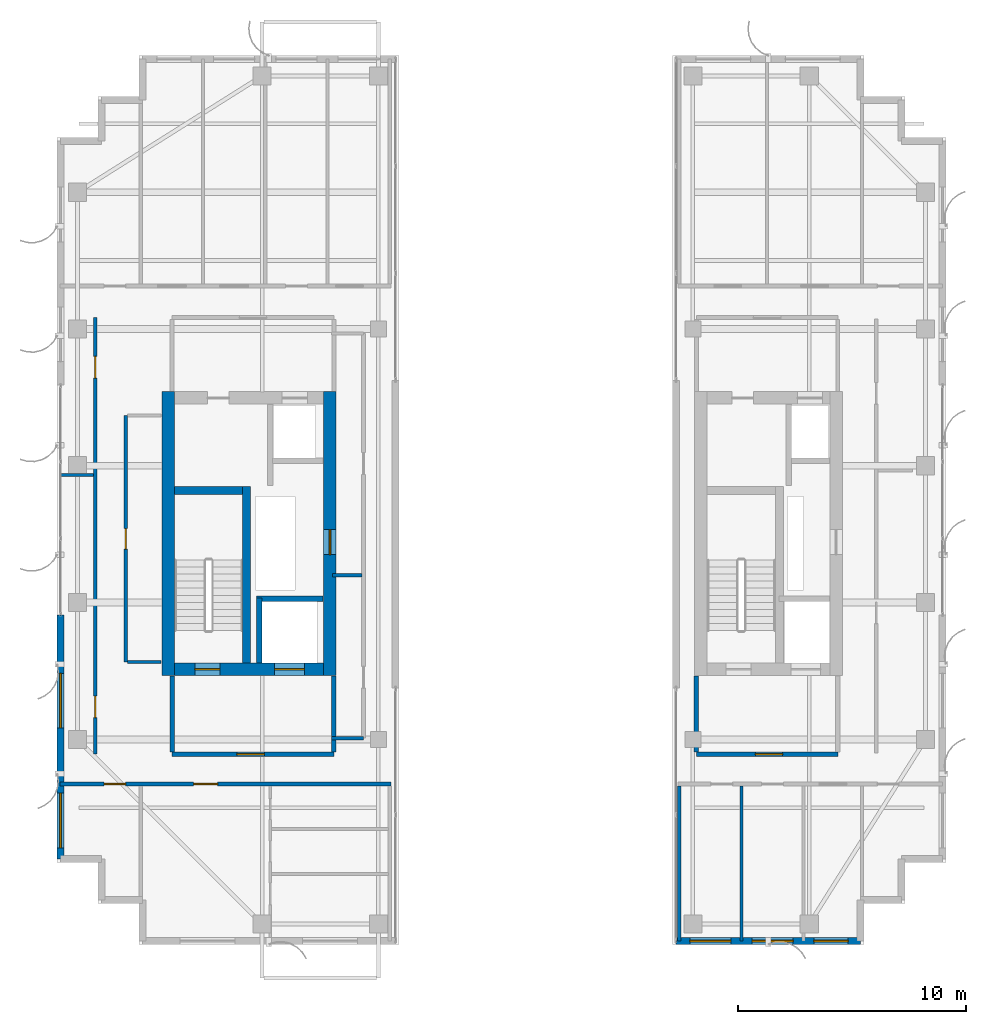
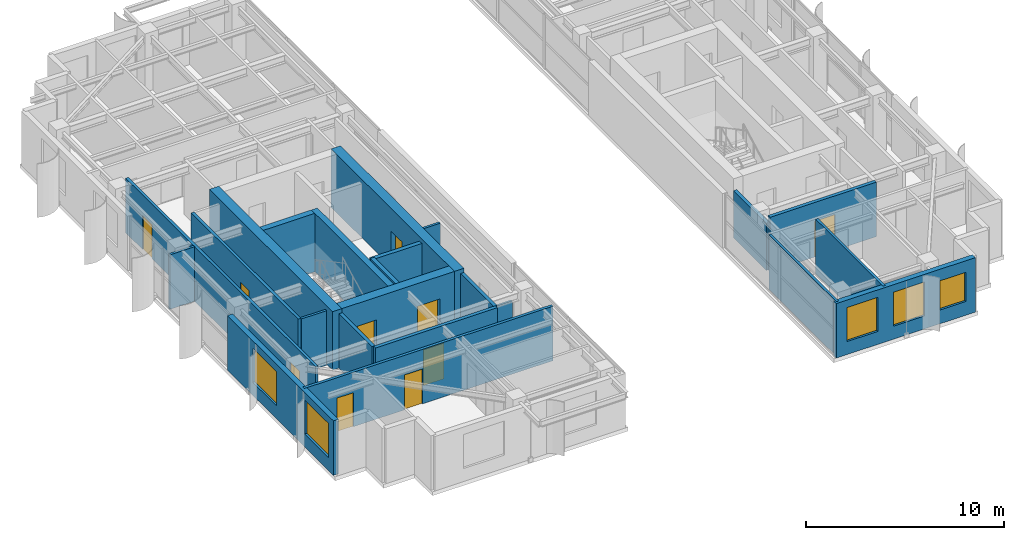
# One storey, part 17 of 22: 23 walls, 10 doors, 5 windows, 15 openings.
"""IFC4 building model written with IfcOpenShell, lengths in metres."""

from ifc_helpers import new_model, si_unit, direction, frame, frame_2d, origin, place, context, subcontext, project, spatial, rectangle, extrude, source, transform, mapped, material, layer, layer_set, type_object, element, fill, save


model = new_model("IFC4")

# Units and contexts
model_context = context("Model", 3, precision=1e-05, world=origin(), true_north=direction((0.0, 1.0)))
body_context = subcontext(model_context, "Body", "Model", "MODEL_VIEW")
ifc_project = project(units=[si_unit("LENGTHUNIT", "METRE"), si_unit("AREAUNIT", "SQUARE_METRE"), si_unit("VOLUMEUNIT", "CUBIC_METRE"), si_unit("PLANEANGLEUNIT", "RADIAN"), si_unit("MASSUNIT", "GRAM", prefix="KILO")], contexts=[model_context])

# Site, building, storey
site_placement = place(None, origin())
site = spatial("IfcSite", under=ifc_project, at=site_placement, CompositionType="ELEMENT")
building_placement = place(site_placement, origin())
building = spatial("IfcBuilding", under=site, at=building_placement, Name="Khoralis Quay Care Tower", CompositionType="ELEMENT")
storey_placement = place(building_placement, frame((0.0, 0.0, 242.10009765625)))
storey = spatial("IfcBuildingStorey", under=building, at=storey_placement, Name="L63", CompositionType="ELEMENT", Elevation=242.10009765625)

# Wall, opening, door
ifc_material_1 = material(Name="Gypsum plasterboard on acoustic metal stud")
ifc_layer_1 = layer(ifc_material_1, 0.199951171875)
ifc_layer_set_1 = layer_set([ifc_layer_1], Name="Gypsum plasterboard on acoustic metal stud")
wall_type_1 = type_object("IfcWallType", Name="WL-COMP-200", PredefinedType="PARTITIONING", material=ifc_layer_set_1)
wall_1_placement = place(storey_placement, frame((8.050048828125, 11.35009765625, 0.0), z_axis=(0.0, 0.0, 1.0), x_axis=(1.0, 0.0, 0.0)))
wall_1 = element("IfcWall", 1, at=wall_1_placement, inside=storey, type_object=wall_type_1, Name="L63 West Firefighting Lobby South Wall", PredefinedType="PARTITIONING", context=body_context, shape_type="SweptSolid", body=[
    extrude(rectangle(XDim=7.099853515625, YDim=0.199951171875, at=frame_2d((3.5498046875, 0.0))), origin(), (0.0, 0.0, 1.0), 3.35986328125),
])
opening_1_placement = place(wall_1_placement, frame((2.846435546875, 0.0, 0.0)))
opening_1 = element("IfcOpeningElement", 2, at=opening_1_placement, cuts=wall_1, Name="Opening FD1", PredefinedType="OPENING", context=body_context, shape_type="SweptSolid", body=[
    extrude(rectangle(XDim=1.199951171875, YDim=2.199951171875, at=frame_2d((0.60009765625, 1.10009765625))), frame((0.0, 0.10986328125, 0.0), z_axis=(0.0, -1.0, 0.0), x_axis=(1.0, 0.0, 0.0)), (0.0, 0.0, 1.0), 0.219970703125),
])
ifc_material_2 = material(Name="Fire-rated painted steel", Category="steel")
door_type_1 = type_object("IfcDoorType", Name="DR-FFL-1200X2200", OperationType="NOTDEFINED", PredefinedType="DOOR", material=ifc_material_2)
shared_shape_1 = source(origin(), body_context, "Body", "SweptSolid", [
    extrude(rectangle(XDim=1.199951171875, YDim=2.199951171875, at=frame_2d((0.60009765625, 1.10009765625))), frame((0.0, 0.02490234375, 0.0), z_axis=(0.0, -1.0, 0.0), x_axis=(1.0, 0.0, 0.0)), (0.0, 0.0, 1.0), 0.050048828125),
])
door_1_placement = place(opening_1_placement, origin())
door_1 = element("IfcDoor", 3, at=door_1_placement, inside=storey, type_object=door_type_1, Name="L63 West Firefighting Lobby Fire Door", OperationType="SINGLE_SWING_LEFT", OverallHeight=2.199951171875, OverallWidth=1.199951171875, PredefinedType="DOOR", context=body_context, shape_type="MappedRepresentation", body=[
    mapped(shared_shape_1, transform((0.0, 0.0, 0.0), scale=1.0)),
])
fill(opening_1, door_1)

# Walls
for number, where, z_axis, x_axis, name in (
    (4, (8.050048828125, 11.445068359375, 0.0), (0.0, 0.0, 1.0), (0.0, 1.0, 0.0), "L63 West Firefighting Lobby West Wall"),
    (5, (15.14990234375, 11.445068359375, 0.0), (0.0, 0.0, 1.0), (0.0, 1.0, 0.0), "L63 West Firefighting Lobby East Wall"),
):
    element("IfcWall", number, at=place(storey_placement, frame(where, z_axis=z_axis, x_axis=x_axis)), inside=storey, type_object=wall_type_1, Name=name, PredefinedType="PARTITIONING", context=body_context, shape_type="SweptSolid", body=[
        extrude(rectangle(XDim=3.3349609375, YDim=0.199951171875, at=frame_2d((1.66748046875, 0.0))), origin(), (0.0, 0.0, 1.0), 3.35986328125),
    ])

# Wall, opening, door
wall_2_placement = place(storey_placement, frame((31.050048828125, 11.35009765625, 0.0), z_axis=(0.0, 0.0, 1.0), x_axis=(1.0, 0.0, 0.0)))
wall_2 = element("IfcWall", 6, at=wall_2_placement, inside=storey, type_object=wall_type_1, Name="L63 East Firefighting Lobby South Wall", PredefinedType="PARTITIONING", context=body_context, shape_type="SweptSolid", body=[
    extrude(rectangle(XDim=6.199951171875, YDim=0.199951171875, at=frame_2d((3.10009765625, 0.0))), origin(), (0.0, 0.0, 1.0), 3.35986328125),
])
opening_2_placement = place(wall_2_placement, frame((2.585693359375, 0.0, 0.0)))
opening_2 = element("IfcOpeningElement", 7, at=opening_2_placement, cuts=wall_2, Name="Opening FD1", PredefinedType="OPENING", context=body_context, shape_type="SweptSolid", body=[
    extrude(rectangle(XDim=1.199951171875, YDim=2.199951171875, at=frame_2d((0.60009765625, 1.10009765625))), frame((0.0, 0.10986328125, 0.0), z_axis=(0.0, -1.0, 0.0), x_axis=(1.0, 0.0, 0.0)), (0.0, 0.0, 1.0), 0.219970703125),
])
door_2_placement = place(opening_2_placement, origin())
door_2 = element("IfcDoor", 8, at=door_2_placement, inside=storey, type_object=door_type_1, Name="L63 East Firefighting Lobby Fire Door", OperationType="SINGLE_SWING_RIGHT", OverallHeight=2.199951171875, OverallWidth=1.199951171875, PredefinedType="DOOR", context=body_context, shape_type="MappedRepresentation", body=[
    mapped(shared_shape_1, transform((0.0, 0.0, 0.0), scale=1.0)),
])
fill(opening_2, door_2)

# Walls
wall_3_placement = place(storey_placement, frame((31.050048828125, 11.445068359375, 0.0), z_axis=(0.0, 0.0, 1.0), x_axis=(0.0, 1.0, 0.0)))
element("IfcWall", 9, at=wall_3_placement, inside=storey, type_object=wall_type_1, Name="L63 East Firefighting Lobby West Wall", PredefinedType="PARTITIONING", context=body_context, shape_type="SweptSolid", body=[
    extrude(rectangle(XDim=3.3349609375, YDim=0.199951171875, at=frame_2d((1.66748046875, 0.0))), origin(), (0.0, 0.0, 1.0), 2.90087890625),
])
ifc_material_3 = material(Name="Concrete C65/80", Category="concrete")
ifc_layer_2 = layer(ifc_material_3, 0.550048828125)
ifc_layer_set_2 = layer_set([ifc_layer_2], Name="Concrete C65/80")
wall_type_2 = type_object("IfcWallType", Name="WL-CORE-550", PredefinedType="SHEAR", material=ifc_layer_set_2)
wall_4_placement = place(storey_placement, frame((7.875, 14.800048828125, 0.0), z_axis=(0.0, 0.0, 1.0), x_axis=(0.0, 1.0, 0.0)))
element("IfcWall", 10, at=wall_4_placement, inside=storey, type_object=wall_type_2, Name="L63 WCORE West Shear Wall", PredefinedType="SHEAR", context=body_context, shape_type="SweptSolid", body=[
    extrude(rectangle(XDim=12.449951171875, YDim=0.550048828125, at=frame_2d((6.22509765625, 0.0))), origin(), (0.0, 0.0, 1.0), 3.599853515625),
])

# Wall, opening, door
wall_5_placement = place(storey_placement, frame((14.97509765625, 14.800048828125, 0.0), z_axis=(0.0, 0.0, 1.0), x_axis=(0.0, 1.0, 0.0)))
wall_5 = element("IfcWall", 11, at=wall_5_placement, inside=storey, type_object=wall_type_2, Name="L63 WCORE East Shear Wall", PredefinedType="SHEAR", context=body_context, shape_type="SweptSolid", body=[
    extrude(rectangle(XDim=12.449951171875, YDim=0.550048828125, at=frame_2d((6.22509765625, 0.0))), origin(), (0.0, 0.0, 1.0), 3.599853515625),
])
opening_3_placement = place(wall_5_placement, frame((5.300048828125, 0.0, 0.0)))
opening_3 = element("IfcOpeningElement", 12, at=opening_3_placement, cuts=wall_5, Name="Opening SD1", PredefinedType="OPENING", context=body_context, shape_type="SweptSolid", body=[
    extrude(rectangle(XDim=1.10009765625, YDim=2.199951171875, at=frame_2d((0.550048828125, 1.10009765625))), frame((0.0, 0.28515625, 0.0), z_axis=(0.0, -1.0, 0.0), x_axis=(1.0, 0.0, 0.0)), (0.0, 0.0, 1.0), 0.570068359375),
])
door_type_2 = type_object("IfcDoorType", Name="DR-STAIR-1100X2200", OperationType="NOTDEFINED", PredefinedType="DOOR", material=ifc_material_2)
shared_shape_2 = source(origin(), body_context, "Body", "SweptSolid", [
    extrude(rectangle(XDim=1.10009765625, YDim=2.199951171875, at=frame_2d((0.550048828125, 1.10009765625))), frame((0.0, 0.02490234375, 0.0), z_axis=(0.0, -1.0, 0.0), x_axis=(1.0, 0.0, 0.0)), (0.0, 0.0, 1.0), 0.050048828125),
])
door_3_placement = place(opening_3_placement, origin())
door_3 = element("IfcDoor", 13, at=door_3_placement, inside=storey, type_object=door_type_2, Name="L63 West MEP Riser Door", OperationType="SINGLE_SWING_LEFT", OverallHeight=2.199951171875, OverallWidth=1.10009765625, PredefinedType="DOOR", context=body_context, shape_type="MappedRepresentation", body=[
    mapped(shared_shape_2, transform((0.0, 0.0, 0.0), scale=1.0)),
])
fill(opening_3, door_3)

# Wall, openings, doors
wall_6_placement = place(storey_placement, frame((8.14990234375, 15.074951171875, 0.0), z_axis=(0.0, 0.0, 1.0), x_axis=(1.0, 0.0, 0.0)))
wall_6 = element("IfcWall", 14, at=wall_6_placement, inside=storey, type_object=wall_type_2, Name="L63 WCORE South Shear Wall", PredefinedType="SHEAR", context=body_context, shape_type="SweptSolid", body=[
    extrude(rectangle(XDim=6.550048828125, YDim=0.550048828125, at=frame_2d((3.27490234375, 0.0))), origin(), (0.0, 0.0, 1.0), 3.599853515625),
])
opening_4_placement = place(wall_6_placement, frame((0.89990234375, 0.0, 0.0)))
opening_4 = element("IfcOpeningElement", 15, at=opening_4_placement, cuts=wall_6, Name="Opening SD1", PredefinedType="OPENING", context=body_context, shape_type="SweptSolid", body=[
    extrude(rectangle(XDim=1.10009765625, YDim=2.199951171875, at=frame_2d((0.550048828125, 1.10009765625))), frame((0.0, 0.28515625, 0.0), z_axis=(0.0, -1.0, 0.0), x_axis=(1.0, 0.0, 0.0)), (0.0, 0.0, 1.0), 0.570068359375),
])
opening_5_placement = place(wall_6_placement, frame((4.39990234375, 0.0, 0.0)))
opening_5 = element("IfcOpeningElement", 16, at=opening_5_placement, cuts=wall_6, Name="Opening LD2", PredefinedType="OPENING", context=body_context, shape_type="SweptSolid", body=[
    extrude(rectangle(XDim=1.300048828125, YDim=2.199951171875, at=frame_2d((0.64990234375, 1.10009765625))), frame((0.0, 0.28515625, 0.0), z_axis=(0.0, -1.0, 0.0), x_axis=(1.0, 0.0, 0.0)), (0.0, 0.0, 1.0), 0.570068359375),
])
door_4_placement = place(opening_4_placement, origin())
door_4 = element("IfcDoor", 17, at=door_4_placement, inside=storey, type_object=door_type_2, Name="L63 Stair ST-T1 Fire Door", OperationType="SINGLE_SWING_LEFT", OverallHeight=2.199951171875, OverallWidth=1.10009765625, PredefinedType="DOOR", context=body_context, shape_type="MappedRepresentation", body=[
    mapped(shared_shape_2, transform((0.0, 0.0, 0.0), scale=1.0)),
])
fill(opening_4, door_4)
ifc_material_4 = material(Name="Brushed stainless steel", Category="steel")
door_type_3 = type_object("IfcDoorType", Name="DR-LIFT-1300X2200", OperationType="SLIDING_TO_RIGHT", PredefinedType="DOOR", material=ifc_material_4)
shared_shape_3 = source(origin(), body_context, "Body", "SweptSolid", [
    extrude(rectangle(XDim=1.300048828125, YDim=2.199951171875, at=frame_2d((0.64990234375, 1.10009765625))), frame((0.0, 0.02490234375, 0.0), z_axis=(0.0, -1.0, 0.0), x_axis=(1.0, 0.0, 0.0)), (0.0, 0.0, 1.0), 0.050048828125),
])
door_5_placement = place(opening_5_placement, origin())
door_5 = element("IfcDoor", 18, at=door_5_placement, inside=storey, type_object=door_type_3, Name="L63 Firefighting Lift FFL-1 Landing Door", OperationType="SLIDING_TO_RIGHT", OverallHeight=2.199951171875, OverallWidth=1.300048828125, PredefinedType="DOOR", context=body_context, shape_type="MappedRepresentation", body=[
    mapped(shared_shape_3, transform((0.0, 0.0, 0.0), scale=1.0)),
])
fill(opening_5, door_5)

# Wall, opening, door
ifc_layer_3 = layer(ifc_material_1, 0.1650390625)
ifc_layer_set_3 = layer_set([ifc_layer_3], Name="Gypsum plasterboard on acoustic metal stud")
wall_type_3 = type_object("IfcWallType", Name="WL-CORR-165", PredefinedType="PARTITIONING", material=ifc_layer_set_3)
wall_7_placement = place(storey_placement, frame((6.02001953125, 15.39990234375, 0.0), z_axis=(0.0, 0.0, 1.0), x_axis=(0.0, 1.0, 0.0)))
wall_7 = element("IfcWall", 19, at=wall_7_placement, inside=storey, type_object=wall_type_3, Name="L63 West Core Service Flank Wall", PredefinedType="PARTITIONING", context=body_context, shape_type="SweptSolid", body=[
    extrude(rectangle(XDim=10.800048828125, YDim=0.1650390625, at=frame_2d((5.39990234375, 0.0))), origin(), (0.0, 0.0, 1.0), 3.35986328125),
])
opening_6_placement = place(wall_7_placement, frame((4.949951171875, 0.0, 0.0)))
opening_6 = element("IfcOpeningElement", 20, at=opening_6_placement, cuts=wall_7, Name="Opening WD1", PredefinedType="OPENING", context=body_context, shape_type="SweptSolid", body=[
    extrude(rectangle(XDim=0.89990234375, YDim=2.10009765625, at=frame_2d((0.449951171875, 1.050048828125))), frame((0.0, 0.092529296875, 0.0), z_axis=(0.0, -1.0, 0.0), x_axis=(1.0, 0.0, 0.0)), (0.0, 0.0, 1.0), 0.18505859375),
])
ifc_material_5 = material(Name="Acoustic hardwood timber", Category="wood")
door_type_4 = type_object("IfcDoorType", Name="DR-BATH-900X2100", OperationType="NOTDEFINED", PredefinedType="DOOR", material=ifc_material_5)
shared_shape_4 = source(origin(), body_context, "Body", "SweptSolid", [
    extrude(rectangle(XDim=0.89990234375, YDim=2.10009765625, at=frame_2d((0.449951171875, 1.050048828125))), frame((0.0, 0.02490234375, 0.0), z_axis=(0.0, -1.0, 0.0), x_axis=(1.0, 0.0, 0.0)), (0.0, 0.0, 1.0), 0.050048828125),
])
door_6_placement = place(opening_6_placement, frame((0.89990234375, 0.0, 0.0), z_axis=(0.0, 0.0, 1.0), x_axis=(-1.0, 0.0, 0.0)))
door_6 = element("IfcDoor", 21, at=door_6_placement, inside=storey, type_object=door_type_4, Name="L63 Housekeeping & Public Accessible WC Door", OperationType="SINGLE_SWING_RIGHT", OverallHeight=2.10009765625, OverallWidth=0.89990234375, PredefinedType="DOOR", context=body_context, shape_type="MappedRepresentation", body=[
    mapped(shared_shape_4, transform((0.0, 0.0, 0.0), scale=1.0)),
])
fill(opening_6, door_6)

# Wall, openings, doors
wall_8_placement = place(storey_placement, frame((3.14501953125, 10.0400390625, 0.0), z_axis=(0.0, 0.0, 1.0), x_axis=(1.0, 0.0, 0.0)))
wall_8 = element("IfcWall", 22, at=wall_8_placement, inside=storey, type_object=wall_type_3, Name="L63 West Wing South Corridor Wall", PredefinedType="PARTITIONING", context=body_context, shape_type="SweptSolid", body=[
    extrude(rectangle(XDim=14.5048828125, YDim=0.1650390625, at=frame_2d((7.25244140625, 0.0))), origin(), (0.0, 0.0, 1.0), 3.35986328125),
])
opening_7_placement = place(wall_8_placement, frame((5.84912109375, 0.0, 0.0)))
opening_7 = element("IfcOpeningElement", 23, at=opening_7_placement, cuts=wall_8, Name="Opening UD1", PredefinedType="OPENING", context=body_context, shape_type="SweptSolid", body=[
    extrude(rectangle(XDim=1.050048828125, YDim=2.14990234375, at=frame_2d((0.52490234375, 1.074951171875))), frame((0.0, 0.092529296875, 0.0), z_axis=(0.0, -1.0, 0.0), x_axis=(1.0, 0.0, 0.0)), (0.0, 0.0, 1.0), 0.18505859375),
])
opening_8_placement = place(wall_8_placement, frame((1.919921875, 0.0, 0.0)))
opening_8 = element("IfcOpeningElement", 24, at=opening_8_placement, cuts=wall_8, Name="Opening ID1", PredefinedType="OPENING", context=body_context, shape_type="SweptSolid", body=[
    extrude(rectangle(XDim=0.949951171875, YDim=2.10009765625, at=frame_2d((0.47509765625, 1.050048828125))), frame((0.0, 0.092529296875, 0.0), z_axis=(0.0, -1.0, 0.0), x_axis=(1.0, 0.0, 0.0)), (0.0, 0.0, 1.0), 0.18505859375),
])
door_type_5 = type_object("IfcDoorType", Name="DR-ROOM-950X2100", OperationType="NOTDEFINED", PredefinedType="DOOR", material=ifc_material_5)
shared_shape_5 = source(origin(), body_context, "Body", "SweptSolid", [
    extrude(rectangle(XDim=0.949951171875, YDim=2.10009765625, at=frame_2d((0.47509765625, 1.050048828125))), frame((0.0, 0.02490234375, 0.0), z_axis=(0.0, -1.0, 0.0), x_axis=(1.0, 0.0, 0.0)), (0.0, 0.0, 1.0), 0.050048828125),
])
door_7_placement = place(opening_8_placement, frame((0.949951171875, 0.0, 0.0), z_axis=(0.0, 0.0, 1.0), x_axis=(-1.0, 0.0, 0.0)))
door_7 = element("IfcDoor", 25, at=door_7_placement, inside=storey, type_object=door_type_5, Name="L63 SW Corner Door", OperationType="SINGLE_SWING_LEFT", OverallHeight=2.10009765625, OverallWidth=0.949951171875, PredefinedType="DOOR", context=body_context, shape_type="MappedRepresentation", body=[
    mapped(shared_shape_5, transform((0.0, 0.0, 0.0), scale=1.0)),
])
fill(opening_8, door_7)
door_type_6 = type_object("IfcDoorType", Name="DR-SUITE-1050X2150", OperationType="NOTDEFINED", PredefinedType="DOOR", material=ifc_material_5)
shared_shape_6 = source(origin(), body_context, "Body", "SweptSolid", [
    extrude(rectangle(XDim=1.050048828125, YDim=2.14990234375, at=frame_2d((0.52490234375, 1.074951171875))), frame((0.0, 0.02490234375, 0.0), z_axis=(0.0, -1.0, 0.0), x_axis=(1.0, 0.0, 0.0)), (0.0, 0.0, 1.0), 0.050048828125),
])
door_8_placement = place(opening_7_placement, frame((1.050048828125, 0.0, 0.0), z_axis=(0.0, 0.0, 1.0), x_axis=(-1.0, 0.0, 0.0)))
door_8 = element("IfcDoor", 26, at=door_8_placement, inside=storey, type_object=door_type_6, Name="L63 Apartment WS0 Entrance Door", OperationType="SINGLE_SWING_RIGHT", OverallHeight=2.14990234375, OverallWidth=1.050048828125, PredefinedType="DOOR", context=body_context, shape_type="MappedRepresentation", body=[
    mapped(shared_shape_6, transform((0.0, 0.0, 0.0), scale=1.0)),
])
fill(opening_7, door_8)

wall_9_placement = place(storey_placement, frame((4.679931640625, 11.35009765625, 0.0), z_axis=(0.0, 0.0, 1.0), x_axis=(0.0, 1.0, 0.0)))
wall_9 = element("IfcWall", 27, at=wall_9_placement, inside=storey, type_object=wall_type_3, Name="L63 West Mid South Entry Wall", PredefinedType="PARTITIONING", context=body_context, shape_type="SweptSolid", body=[
    extrude(rectangle(XDim=19.14990234375, YDim=0.1650390625, at=frame_2d((9.574951171875, 0.0))), origin(), (0.0, 0.0, 1.0), 3.35986328125),
])
opening_9_placement = place(wall_9_placement, frame((1.60009765625, 0.0, 0.0)))
opening_9 = element("IfcOpeningElement", 28, at=opening_9_placement, cuts=wall_9, Name="Opening ID1", PredefinedType="OPENING", context=body_context, shape_type="SweptSolid", body=[
    extrude(rectangle(XDim=0.949951171875, YDim=2.10009765625, at=frame_2d((0.47509765625, 1.050048828125))), frame((0.0, 0.092529296875, 0.0), z_axis=(0.0, -1.0, 0.0), x_axis=(1.0, 0.0, 0.0)), (0.0, 0.0, 1.0), 0.18505859375),
])
opening_10_placement = place(wall_9_placement, frame((16.5, 0.0, 0.0)))
opening_10 = element("IfcOpeningElement", 29, at=opening_10_placement, cuts=wall_9, Name="Opening ID1", PredefinedType="OPENING", context=body_context, shape_type="SweptSolid", body=[
    extrude(rectangle(XDim=0.949951171875, YDim=2.10009765625, at=frame_2d((0.47509765625, 1.050048828125))), frame((0.0, 0.092529296875, 0.0), z_axis=(0.0, -1.0, 0.0), x_axis=(1.0, 0.0, 0.0)), (0.0, 0.0, 1.0), 0.18505859375),
])
door_9_placement = place(opening_9_placement, frame((0.949951171875, 0.0, 0.0), z_axis=(0.0, 0.0, 1.0), x_axis=(-1.0, 0.0, 0.0)))
door_9 = element("IfcDoor", 30, at=door_9_placement, inside=storey, type_object=door_type_5, Name="L63 West Resident Day Lounge Door", OperationType="SINGLE_SWING_LEFT", OverallHeight=2.10009765625, OverallWidth=0.949951171875, PredefinedType="DOOR", context=body_context, shape_type="MappedRepresentation", body=[
    mapped(shared_shape_5, transform((0.0, 0.0, 0.0), scale=1.0)),
])
fill(opening_9, door_9)
door_10_placement = place(opening_10_placement, frame((0.949951171875, 0.0, 0.0), z_axis=(0.0, 0.0, 1.0), x_axis=(-1.0, 0.0, 0.0)))
door_10 = element("IfcDoor", 31, at=door_10_placement, inside=storey, type_object=door_type_5, Name="L63 West Care Coordinator Office Door", OperationType="SINGLE_SWING_RIGHT", OverallHeight=2.10009765625, OverallWidth=0.949951171875, PredefinedType="DOOR", context=body_context, shape_type="MappedRepresentation", body=[
    mapped(shared_shape_5, transform((0.0, 0.0, 0.0), scale=1.0)),
])
fill(opening_10, door_10)

# Wall, openings, windows
ifc_material_6 = material(Name="Precast concrete C45/55", Category="concrete")
ifc_layer_4 = layer(ifc_material_6, 0.300048828125)
ifc_layer_set_4 = layer_set([ifc_layer_4], Name="Precast concrete C45/55")
wall_type_4 = type_object("IfcWallType", Name="WL-EXT-REF-300", PredefinedType="SOLIDWALL", material=ifc_layer_set_4)
wall_10_placement = place(storey_placement, frame((3.14990234375, 17.4599609375, 0.0), z_axis=(0.0, 0.0, 1.0), x_axis=(0.0, -1.0, 0.0)))
wall_10 = element("IfcWall", 32, at=wall_10_placement, inside=storey, type_object=wall_type_4, Name="L63 External Facade Wall WL-EXT-L63-P1-E7B", PredefinedType="SOLIDWALL", context=body_context, shape_type="SweptSolid", body=[
    extrude(rectangle(XDim=10.7099609375, YDim=0.300048828125, at=frame_2d((5.35498046875, 0.0))), origin(), (0.0, 0.0, 1.0), 3.35986328125),
])
opening_11_placement = place(wall_10_placement, frame((2.56005859375, 0.0, 0.800048828125)))
opening_11 = element("IfcOpeningElement", 33, at=opening_11_placement, cuts=wall_10, Name="Opening W1", PredefinedType="OPENING", context=body_context, shape_type="SweptSolid", body=[
    extrude(rectangle(XDim=2.39990234375, YDim=2.10009765625, at=frame_2d((1.199951171875, 1.050048828125))), frame((0.0, 0.16015625, 0.0), z_axis=(0.0, -1.0, 0.0), x_axis=(1.0, 0.0, 0.0)), (0.0, 0.0, 1.0), 0.320068359375),
])
opening_12_placement = place(wall_10_placement, frame((7.81494140625, 0.0, 0.800048828125)))
opening_12 = element("IfcOpeningElement", 34, at=opening_12_placement, cuts=wall_10, Name="Opening W1", PredefinedType="OPENING", context=body_context, shape_type="SweptSolid", body=[
    extrude(rectangle(XDim=2.39990234375, YDim=2.10009765625, at=frame_2d((1.199951171875, 1.050048828125))), frame((0.0, 0.16015625, 0.0), z_axis=(0.0, -1.0, 0.0), x_axis=(1.0, 0.0, 0.0)), (0.0, 0.0, 1.0), 0.320068359375),
])
ifc_material_7 = material(Name="Low-E solar-control double glazing", Category="glass")
window_type_1 = type_object("IfcWindowType", Name="WN-POD-2400X2100", PartitioningType="SINGLE_PANEL", PredefinedType="WINDOW", material=ifc_material_7)
shared_shape_7 = source(origin(), body_context, "Body", "SweptSolid", [
    extrude(rectangle(XDim=2.39990234375, YDim=2.10009765625, at=frame_2d((1.199951171875, 1.050048828125))), frame((0.0, 0.030029296875, 0.0), z_axis=(0.0, -1.0, 0.0), x_axis=(1.0, 0.0, 0.0)), (0.0, 0.0, 1.0), 0.06005859375),
])
window_1_placement = place(opening_11_placement, origin())
window_1 = element("IfcWindow", 35, at=window_1_placement, inside=storey, type_object=window_type_1, Name="WN-L63-P1-E7B Facade Window 01", OverallHeight=2.10009765625, OverallWidth=2.39990234375, PartitioningType="SINGLE_PANEL", PredefinedType="WINDOW", context=body_context, shape_type="MappedRepresentation", body=[
    mapped(shared_shape_7, transform((0.0, 0.0, 0.0), scale=1.0)),
])
fill(opening_11, window_1)
window_2_placement = place(opening_12_placement, origin())
window_2 = element("IfcWindow", 36, at=window_2_placement, inside=storey, type_object=window_type_1, Name="WN-L63-P1-E7B Facade Window 02", OverallHeight=2.10009765625, OverallWidth=2.39990234375, PartitioningType="SINGLE_PANEL", PredefinedType="WINDOW", context=body_context, shape_type="MappedRepresentation", body=[
    mapped(shared_shape_7, transform((0.0, 0.0, 0.0), scale=1.0)),
])
fill(opening_12, window_2)

wall_11_placement = place(storey_placement, frame((30.14990234375, 3.14990234375, 0.0), z_axis=(0.0, 0.0, 1.0), x_axis=(1.0, 0.0, 0.0)))
wall_11 = element("IfcWall", 37, at=wall_11_placement, inside=storey, type_object=wall_type_4, Name="L63 External Facade Wall WL-EXT-L63-P2-E0", PredefinedType="SOLIDWALL", context=body_context, shape_type="SweptSolid", body=[
    extrude(rectangle(XDim=8.10009765625, YDim=0.300048828125, at=frame_2d((4.050048828125, 0.0))), origin(), (0.0, 0.0, 1.0), 3.35986328125),
])
opening_13_placement = place(wall_11_placement, frame((0.614990234375, 0.0, 0.800048828125)))
opening_13 = element("IfcOpeningElement", 38, at=opening_13_placement, cuts=wall_11, Name="Opening W2", PredefinedType="OPENING", context=body_context, shape_type="SweptSolid", body=[
    extrude(rectangle(XDim=1.800048828125, YDim=2.10009765625, at=frame_2d((0.89990234375, 1.050048828125))), frame((0.0, 0.16015625, 0.0), z_axis=(0.0, -1.0, 0.0), x_axis=(1.0, 0.0, 0.0)), (0.0, 0.0, 1.0), 0.320068359375),
])
opening_14_placement = place(wall_11_placement, frame((3.340087890625, 0.0, 0.800048828125)))
opening_14 = element("IfcOpeningElement", 39, at=opening_14_placement, cuts=wall_11, Name="Opening W2", PredefinedType="OPENING", context=body_context, shape_type="SweptSolid", body=[
    extrude(rectangle(XDim=1.800048828125, YDim=2.10009765625, at=frame_2d((0.89990234375, 1.050048828125))), frame((0.0, 0.16015625, 0.0), z_axis=(0.0, -1.0, 0.0), x_axis=(1.0, 0.0, 0.0)), (0.0, 0.0, 1.0), 0.320068359375),
])
opening_15_placement = place(wall_11_placement, frame((6.050048828125, 0.0, 0.85009765625)))
opening_15 = element("IfcOpeningElement", 40, at=opening_15_placement, cuts=wall_11, Name="Opening W3", PredefinedType="OPENING", context=body_context, shape_type="SweptSolid", body=[
    extrude(rectangle(XDim=1.5, YDim=1.800048828125, at=frame_2d((0.75, 0.89990234375))), frame((0.0, 0.16015625, 0.0), z_axis=(0.0, -1.0, 0.0), x_axis=(1.0, 0.0, 0.0)), (0.0, 0.0, 1.0), 0.320068359375),
])
window_type_2 = type_object("IfcWindowType", Name="WN-CLIN-1500X1800", PartitioningType="SINGLE_PANEL", PredefinedType="WINDOW", material=ifc_material_7)
shared_shape_8 = source(origin(), body_context, "Body", "SweptSolid", [
    extrude(rectangle(XDim=1.5, YDim=1.800048828125, at=frame_2d((0.75, 0.89990234375))), frame((0.0, 0.030029296875, 0.0), z_axis=(0.0, -1.0, 0.0), x_axis=(1.0, 0.0, 0.0)), (0.0, 0.0, 1.0), 0.06005859375),
])
window_3_placement = place(opening_15_placement, origin())
window_3 = element("IfcWindow", 41, at=window_3_placement, inside=storey, type_object=window_type_2, Name="WN-L63-P2-E0 Facade Window 03", OverallHeight=1.800048828125, OverallWidth=1.5, PartitioningType="SINGLE_PANEL", PredefinedType="WINDOW", context=body_context, shape_type="MappedRepresentation", body=[
    mapped(shared_shape_8, transform((0.0, 0.0, 0.0), scale=1.0)),
])
fill(opening_15, window_3)
window_type_3 = type_object("IfcWindowType", Name="WN-POD-1800X2100", PartitioningType="SINGLE_PANEL", PredefinedType="WINDOW", material=ifc_material_7)
shared_shape_9 = source(origin(), body_context, "Body", "SweptSolid", [
    extrude(rectangle(XDim=1.800048828125, YDim=2.10009765625, at=frame_2d((0.89990234375, 1.050048828125))), frame((0.0, 0.030029296875, 0.0), z_axis=(0.0, -1.0, 0.0), x_axis=(1.0, 0.0, 0.0)), (0.0, 0.0, 1.0), 0.06005859375),
])
window_4_placement = place(opening_13_placement, origin())
window_4 = element("IfcWindow", 42, at=window_4_placement, inside=storey, type_object=window_type_3, Name="WN-L63-P2-E0 Facade Window 01", OverallHeight=2.10009765625, OverallWidth=1.800048828125, PartitioningType="SINGLE_PANEL", PredefinedType="WINDOW", context=body_context, shape_type="MappedRepresentation", body=[
    mapped(shared_shape_9, transform((0.0, 0.0, 0.0), scale=1.0)),
])
fill(opening_13, window_4)
window_5_placement = place(opening_14_placement, origin())
window_5 = element("IfcWindow", 43, at=window_5_placement, inside=storey, type_object=window_type_3, Name="WN-L63-P2-E0 Facade Window 02", OverallHeight=2.10009765625, OverallWidth=1.800048828125, PartitioningType="SINGLE_PANEL", PredefinedType="WINDOW", context=body_context, shape_type="MappedRepresentation", body=[
    mapped(shared_shape_9, transform((0.0, 0.0, 0.0), scale=1.0)),
])
fill(opening_14, window_5)

# Walls
ifc_material_8 = material(Name="Concrete C40/50", Category="concrete")
ifc_layer_5 = layer(ifc_material_8, 0.35009765625)
ifc_layer_set_5 = layer_set([ifc_layer_5], Name="Concrete C40/50")
wall_type_5 = type_object("IfcWallType", Name="WL-SC-CORE-350", PredefinedType="SHEAR", material=ifc_layer_set_5)
wall_12_placement = place(storey_placement, frame((11.324951171875, 15.35009765625, 0.0), z_axis=(0.0, 0.0, 1.0), x_axis=(0.0, 1.0, 0.0)))
element("IfcWall", 44, at=wall_12_placement, inside=storey, type_object=wall_type_5, Name="L63 Stair ST-T1 Shear Baffle Wall East", PredefinedType="SHEAR", context=body_context, shape_type="SweptSolid", body=[
    extrude(rectangle(XDim=7.75, YDim=0.35009765625, at=frame_2d((3.875, 0.0))), origin(), (0.0, 0.0, 1.0), 3.599853515625),
])
wall_13_placement = place(storey_placement, frame((8.14990234375, 22.925048828125, 0.0), z_axis=(0.0, 0.0, 1.0), x_axis=(1.0, 0.0, 0.0)))
element("IfcWall", 45, at=wall_13_placement, inside=storey, type_object=wall_type_5, Name="L63 Stair ST-T1 Shear Baffle Wall North", PredefinedType="SHEAR", context=body_context, shape_type="SweptSolid", body=[
    extrude(rectangle(XDim=3.0, YDim=0.35009765625, at=frame_2d((1.5, 0.0))), origin(), (0.0, 0.0, 1.0), 3.599853515625),
])
ifc_layer_6 = layer(ifc_material_1, 0.239990234375)
ifc_layer_set_6 = layer_set([ifc_layer_6], Name="Gypsum plasterboard on acoustic metal stud")
wall_type_6 = type_object("IfcWallType", Name="WL-SHAFT-240", PredefinedType="PARTITIONING", material=ifc_layer_set_6)
wall_14_placement = place(storey_placement, frame((11.8798828125, 15.35009765625, 0.0), z_axis=(0.0, 0.0, 1.0), x_axis=(0.0, 1.0, 0.0)))
element("IfcWall", 46, at=wall_14_placement, inside=storey, type_object=wall_type_6, Name="L63 FFL-1 Shaft Wall West", PredefinedType="PARTITIONING", context=body_context, shape_type="SweptSolid", body=[
    extrude(rectangle(XDim=2.849853515625, YDim=0.239990234375, at=frame_2d((1.4248046875, 0.0))), origin(), (0.0, 0.0, 1.0), 3.35986328125),
])
wall_15_placement = place(storey_placement, frame((11.760009765625, 18.169921875, 0.0), z_axis=(0.0, 0.0, 1.0), x_axis=(1.0, 0.0, 0.0)))
element("IfcWall", 47, at=wall_15_placement, inside=storey, type_object=wall_type_6, Name="L63 FFL-1 Shaft Wall North", PredefinedType="PARTITIONING", context=body_context, shape_type="SweptSolid", body=[
    extrude(rectangle(XDim=2.919921875, YDim=0.239990234375, at=frame_2d((1.4599609375, 0.0))), origin(), (0.0, 0.0, 1.0), 3.35986328125),
])
ifc_layer_7 = layer(ifc_material_1, 0.139892578125)
ifc_layer_set_7 = layer_set([ifc_layer_7], Name="Gypsum plasterboard on acoustic metal stud")
wall_type_7 = type_object("IfcWallType", Name="WL-UNIT-140", PredefinedType="PARTITIONING", material=ifc_layer_set_7)
wall_16_placement = place(storey_placement, frame((6.097412109375, 15.39990234375, 0.0), z_axis=(0.0, 0.0, 1.0), x_axis=(1.0, 0.0, 0.0)))
element("IfcWall", 48, at=wall_16_placement, inside=storey, type_object=wall_type_7, Name="L63 West Flank South Cap", PredefinedType="PARTITIONING", context=body_context, shape_type="SweptSolid", body=[
    extrude(rectangle(XDim=1.462646484375, YDim=0.139892578125, at=frame_2d((0.7314453125, 0.0))), origin(), (0.0, 0.0, 1.0), 3.35986328125),
])
wall_17_placement = place(storey_placement, frame((3.14501953125, 23.60009765625, 0.0), z_axis=(0.0, 0.0, 1.0), x_axis=(1.0, 0.0, 0.0)))
element("IfcWall", 49, at=wall_17_placement, inside=storey, type_object=wall_type_7, Name="L63 West Mid Split", PredefinedType="PARTITIONING", context=body_context, shape_type="SweptSolid", body=[
    extrude(rectangle(XDim=1.45751953125, YDim=0.139892578125, at=frame_2d((0.728759765625, 0.0))), origin(), (0.0, 0.0, 1.0), 3.35986328125),
])
wall_18_placement = place(storey_placement, frame((15.080078125, 19.199951171875, 0.0), z_axis=(0.0, 0.0, 1.0), x_axis=(1.0, 0.0, 0.0)))
element("IfcWall", 50, at=wall_18_placement, inside=storey, type_object=wall_type_7, Name="L63 Portal Lounge Divider", PredefinedType="PARTITIONING", context=body_context, shape_type="SweptSolid", body=[
    extrude(rectangle(XDim=1.29248046875, YDim=0.139892578125, at=frame_2d((0.646240234375, 0.0))), origin(), (0.0, 0.0, 1.0), 3.35986328125),
])
for number, where, z_axis, x_axis, name in (
    (51, (30.300048828125, 3.14501953125, 0.0), (0.0, 0.0, 1.0), (0.0, 1.0, 0.0), "L63 ES Demising Wall 0"),
    (52, (33.030029296875, 3.14501953125, 0.0), (0.0, 0.0, 1.0), (0.0, 1.0, 0.0), "L63 ES Demising Wall 1"),
):
    element("IfcWall", number, at=place(storey_placement, frame(where, z_axis=z_axis, x_axis=x_axis)), inside=storey, type_object=wall_type_7, Name=name, PredefinedType="PARTITIONING", context=body_context, shape_type="SweptSolid", body=[
        extrude(rectangle(XDim=6.8173828125, YDim=0.139892578125, at=frame_2d((3.40869140625, 0.0))), origin(), (0.0, 0.0, 1.0), 3.35986328125),
    ])
wall_19_placement = place(storey_placement, frame((15.050048828125, 12.050048828125, 0.0), z_axis=(0.0, 0.0, 1.0), x_axis=(1.0, 0.0, 0.0)))
element("IfcWall", 53, at=wall_19_placement, inside=storey, type_object=wall_type_7, Name="L63 Portal Alcove South Wall", PredefinedType="PARTITIONING", context=body_context, shape_type="SweptSolid", body=[
    extrude(rectangle(XDim=1.39990234375, YDim=0.139892578125, at=frame_2d((0.699951171875, 0.0))), origin(), (0.0, 0.0, 1.0), 2.85986328125),
])

save(model, "model.ifc")
